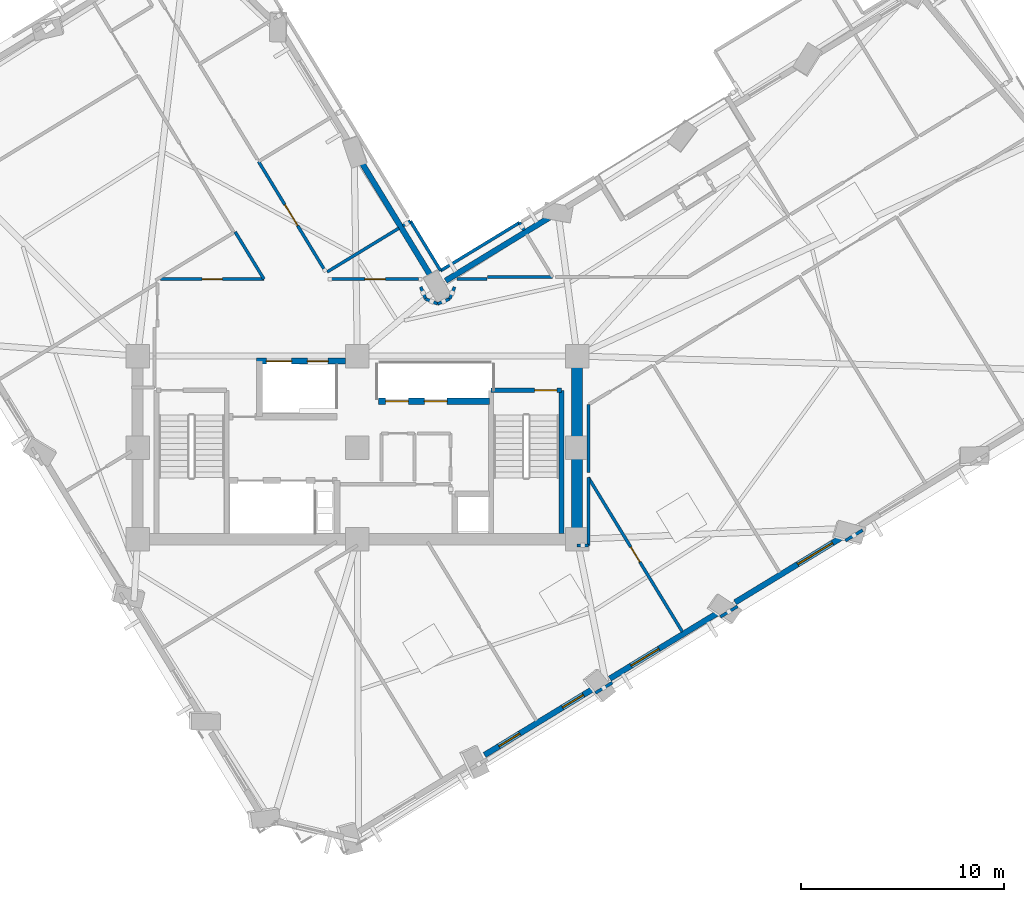
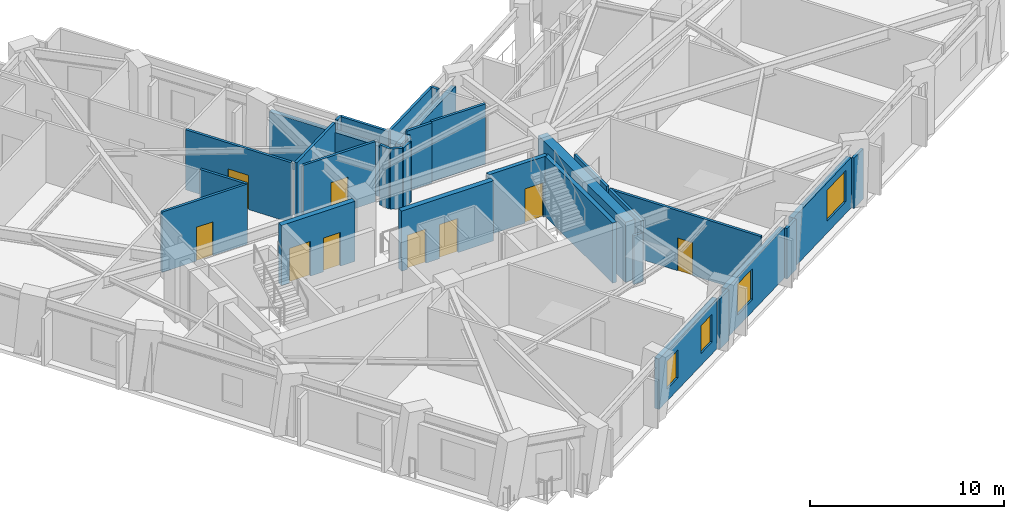
# One storey, part 6 of 14: 32 walls, 9 doors, 4 windows, 13 openings.
"""IFC4 building model written with IfcOpenShell, lengths in metres."""

from ifc_helpers import new_model, si_unit, direction, frame, frame_2d, origin, place, context, subcontext, project, spatial, rectangle, extrude, material, layer, layer_set, type_object, element, fill, save


model = new_model("IFC4")

# Units and contexts
model_context = context("Model", 3, precision=1e-05, world=origin(), true_north=direction((0.0, 1.0)))
body_context = subcontext(model_context, "Body", "Model", "MODEL_VIEW")
ifc_project = project(units=[si_unit("LENGTHUNIT", "METRE"), si_unit("AREAUNIT", "SQUARE_METRE"), si_unit("VOLUMEUNIT", "CUBIC_METRE"), si_unit("PLANEANGLEUNIT", "RADIAN"), si_unit("MASSUNIT", "GRAM", prefix="KILO")], contexts=[model_context])

# Site, building, storey
site_placement = place(None, origin())
site = spatial("IfcSite", under=ifc_project, at=site_placement, CompositionType="ELEMENT")
building_placement = place(site_placement, origin())
building = spatial("IfcBuilding", under=site, at=building_placement, Name="Gaonmaruhae Medical Tower", CompositionType="ELEMENT")
storey_placement = place(building_placement, frame((0.0, 0.0, 157.800048828125)))
storey = spatial("IfcBuildingStorey", under=building, at=storey_placement, Name="L37", CompositionType="ELEMENT", Elevation=157.800048828125)

# Wall
ifc_material_1 = material(Name="Concrete C50/60", Category="concrete")
ifc_layer_1 = layer(ifc_material_1, 0.550048828125)
ifc_layer_set_1 = layer_set([ifc_layer_1], Name="Concrete C50/60")
wall_type_1 = type_object("IfcWallType", Name="CW-550 Mid-High Core Shear Wall", PredefinedType="SHEAR", material=ifc_layer_set_1)
wall_1_placement = place(storey_placement, frame((35.60009765625, 7.800048828125, 0.0), z_axis=(0.0, 0.0, 1.0), x_axis=(0.0, 1.0, 0.0)))
element("IfcWall", 1, at=wall_1_placement, inside=storey, type_object=wall_type_1, Name="L37 Core Shear Wall CSW-E1", PredefinedType="SHEAR", context=body_context, shape_type="SweptSolid", body=[
    extrude(rectangle(XDim=9.0, YDim=0.550048828125, at=frame_2d((4.5, 0.0))), origin(), (0.0, 0.0, 1.0), 3.780029296875),
])

# Wall, openings, windows
ifc_material_2 = material(Name="Precast concrete C45/55", Category="concrete")
ifc_layer_2 = layer(ifc_material_2, 0.280029296875)
ifc_layer_set_2 = layer_set([ifc_layer_2], Name="Precast concrete C45/55")
wall_type_2 = type_object("IfcWallType", Name="EW-280 Upper Precast Masonry-Frame Facade Wall", PredefinedType="SOLIDWALL", material=ifc_layer_set_2)
wall_2_placement = place(storey_placement, frame((36.3759765625, 0.4375, 0.0), z_axis=(0.0, 0.0, 1.0), x_axis=(-0.853997345256, -0.520277362852, 0.0)))
wall_2 = element("IfcWall", 2, at=wall_2_placement, inside=storey, type_object=wall_type_2, Name="L37 Precast Masonry-Frame Wall S02-S03", PredefinedType="SOLIDWALL", context=body_context, shape_type="SweptSolid", body=[
    extrude(rectangle(XDim=6.234375, YDim=0.280029296875, at=frame_2d((3.1171875, 0.0))), origin(), (0.0, 0.0, 1.0), 3.1650390625),
])
opening_1_placement = place(wall_2_placement, frame((4.20751953125, 0.0, 0.75)))
opening_1 = element("IfcOpeningElement", 3, at=opening_1_placement, cuts=wall_2, Name="Opening WN-05", PredefinedType="OPENING", context=body_context, shape_type="SweptSolid", body=[
    extrude(rectangle(XDim=1.199951171875, YDim=1.75, at=frame_2d((0.60009765625, 0.875))), frame((0.0, 0.14990234375, 0.0), z_axis=(0.0, -1.0, 0.0), x_axis=(1.0, 0.0, 0.0)), (0.0, 0.0, 1.0), 0.300048828125),
])
opening_2_placement = place(wall_2_placement, frame((0.547119140625, 0.0, 0.75)))
opening_2 = element("IfcOpeningElement", 4, at=opening_2_placement, cuts=wall_2, Name="Opening WN-05", PredefinedType="OPENING", context=body_context, shape_type="SweptSolid", body=[
    extrude(rectangle(XDim=1.199951171875, YDim=1.75, at=frame_2d((0.60009765625, 0.875))), frame((0.0, 0.14990234375, 0.0), z_axis=(0.0, -1.0, 0.0), x_axis=(1.0, 0.0, 0.0)), (0.0, 0.0, 1.0), 0.300048828125),
])
ifc_material_3 = material(Name="Anodised aluminium and Low-E double glazing", Category="aluminium")
window_type_1 = type_object("IfcWindowType", Name="WN-05 Support & Staff Punched Window 1200x1750", PartitioningType="SINGLE_PANEL", PredefinedType="WINDOW", material=ifc_material_3)
window_1_placement = place(opening_1_placement, origin())
window_1 = element("IfcWindow", 5, at=window_1_placement, inside=storey, type_object=window_type_1, Name="L37 Modular Facade Window S02", OverallHeight=1.75, OverallWidth=1.199951171875, PartitioningType="SINGLE_PANEL", PredefinedType="WINDOW", context=body_context, shape_type="SweptSolid", body=[
    extrude(rectangle(XDim=1.199951171875, YDim=1.75, at=frame_2d((0.60009765625, 0.875))), frame((0.0, 0.030029296875, 0.0), z_axis=(0.0, -1.0, 0.0), x_axis=(1.0, 0.0, 0.0)), (0.0, 0.0, 1.0), 0.06005859375),
])
fill(opening_1, window_1)
window_2_placement = place(opening_2_placement, origin())
window_2 = element("IfcWindow", 6, at=window_2_placement, inside=storey, type_object=window_type_1, Name="L37 Modular Facade Window S02B", OverallHeight=1.75, OverallWidth=1.199951171875, PartitioningType="SINGLE_PANEL", PredefinedType="WINDOW", context=body_context, shape_type="SweptSolid", body=[
    extrude(rectangle(XDim=1.199951171875, YDim=1.75, at=frame_2d((0.60009765625, 0.875))), frame((0.0, 0.030029296875, 0.0), z_axis=(0.0, -1.0, 0.0), x_axis=(1.0, 0.0, 0.0)), (0.0, 0.0, 1.0), 0.06005859375),
])
fill(opening_2, window_2)

# Wall, opening, window
wall_3_placement = place(storey_placement, frame((42.51904296875, 4.1796875, 0.0), z_axis=(0.0, 0.0, 1.0), x_axis=(-0.854020982739, -0.520238561663, 0.0)))
wall_3 = element("IfcWall", 7, at=wall_3_placement, inside=storey, type_object=wall_type_2, Name="L37 Precast Masonry-Frame Wall S03-S04", PredefinedType="SOLIDWALL", context=body_context, shape_type="SweptSolid", body=[
    extrude(rectangle(XDim=6.21435546875, YDim=0.280029296875, at=frame_2d((3.107177734375, 0.0))), origin(), (0.0, 0.0, 1.0), 3.1650390625),
])
opening_3_placement = place(wall_3_placement, frame((3.3974609375, 0.0, 0.75)))
opening_3 = element("IfcOpeningElement", 8, at=opening_3_placement, cuts=wall_3, Name="Opening WN-01", PredefinedType="OPENING", context=body_context, shape_type="SweptSolid", body=[
    extrude(rectangle(XDim=1.60009765625, YDim=1.949951171875, at=frame_2d((0.800048828125, 0.97509765625))), frame((0.0, 0.14990234375, 0.0), z_axis=(0.0, -1.0, 0.0), x_axis=(1.0, 0.0, 0.0)), (0.0, 0.0, 1.0), 0.300048828125),
])
window_type_2 = type_object("IfcWindowType", Name="WN-01 Ward Punched Acoustic Window 1600x1950", PartitioningType="SINGLE_PANEL", PredefinedType="WINDOW", material=ifc_material_3)
window_3_placement = place(opening_3_placement, origin())
window_3 = element("IfcWindow", 9, at=window_3_placement, inside=storey, type_object=window_type_2, Name="L37 Modular Facade Window S03", OverallHeight=1.949951171875, OverallWidth=1.60009765625, PartitioningType="SINGLE_PANEL", PredefinedType="WINDOW", context=body_context, shape_type="SweptSolid", body=[
    extrude(rectangle(XDim=1.60009765625, YDim=1.949951171875, at=frame_2d((0.800048828125, 0.97509765625))), frame((0.0, 0.030029296875, 0.0), z_axis=(0.0, -1.0, 0.0), x_axis=(1.0, 0.0, 0.0)), (0.0, 0.0, 1.0), 0.06005859375),
])
fill(opening_3, window_3)

wall_4_placement = place(storey_placement, frame((48.668212890625, 7.92578125, 0.0), z_axis=(0.0, 0.0, 1.0), x_axis=(-0.85401095284, -0.520255026338, 0.0)))
wall_4 = element("IfcWall", 10, at=wall_4_placement, inside=storey, type_object=wall_type_2, Name="L37 Precast Masonry-Frame Wall S04-S05", PredefinedType="SOLIDWALL", context=body_context, shape_type="SweptSolid", body=[
    extrude(rectangle(XDim=6.208984375, YDim=0.280029296875, at=frame_2d((3.1044921875, 0.0))), origin(), (0.0, 0.0, 1.0), 3.1650390625),
])
opening_4_placement = place(wall_4_placement, frame((0.6025390625, 0.0, 0.75)))
opening_4 = element("IfcOpeningElement", 11, at=opening_4_placement, cuts=wall_4, Name="Opening WN-02", PredefinedType="OPENING", context=body_context, shape_type="SweptSolid", body=[
    extrude(rectangle(XDim=2.0, YDim=1.949951171875, at=frame_2d((1.0, 0.97509765625))), frame((0.0, 0.14990234375, 0.0), z_axis=(0.0, -1.0, 0.0), x_axis=(1.0, 0.0, 0.0)), (0.0, 0.0, 1.0), 0.300048828125),
])
window_type_3 = type_object("IfcWindowType", Name="WN-02 Double-Bed Ward Punched Window 2000x1950", PartitioningType="SINGLE_PANEL", PredefinedType="WINDOW", material=ifc_material_3)
window_4_placement = place(opening_4_placement, origin())
window_4 = element("IfcWindow", 12, at=window_4_placement, inside=storey, type_object=window_type_3, Name="L37 Modular Facade Window S04", OverallHeight=1.949951171875, OverallWidth=2.0, PartitioningType="SINGLE_PANEL", PredefinedType="WINDOW", context=body_context, shape_type="SweptSolid", body=[
    extrude(rectangle(XDim=2.0, YDim=1.949951171875, at=frame_2d((1.0, 0.97509765625))), frame((0.0, 0.030029296875, 0.0), z_axis=(0.0, -1.0, 0.0), x_axis=(1.0, 0.0, 0.0)), (0.0, 0.0, 1.0), 0.06005859375),
])
fill(opening_4, window_4)

# Walls
wall_5_placement = place(storey_placement, frame((29.139892578125, 20.501953125, 0.0), z_axis=(0.0, 0.0, 1.0), x_axis=(0.853999949141, 0.52027308874, 0.0)))
element("IfcWall", 13, at=wall_5_placement, inside=storey, type_object=wall_type_2, Name="L37 Precast Masonry-Frame Wall EN03-KN01", PredefinedType="SOLIDWALL", context=body_context, shape_type="SweptSolid", body=[
    extrude(rectangle(XDim=5.9599609375, YDim=0.280029296875, at=frame_2d((2.97998046875, 0.0))), origin(), (0.0, 0.0, 1.0), 3.1650390625),
])
wall_6_placement = place(storey_placement, frame((28.478759765625, 20.61669921875, 0.0), z_axis=(0.0, 0.0, 1.0), x_axis=(-0.520241368048, 0.854019273185, 0.0)))
element("IfcWall", 14, at=wall_6_placement, inside=storey, type_object=wall_type_2, Name="L37 Precast Masonry-Frame Wall KN01-NE01", PredefinedType="SOLIDWALL", context=body_context, shape_type="SweptSolid", body=[
    extrude(rectangle(XDim=6.760009765625, YDim=0.280029296875, at=frame_2d((3.3798828125, 0.0))), origin(), (0.0, 0.0, 1.0), 3.1650390625),
])

# Wall, opening, door
ifc_material_4 = material(Name="Gypsum board partition", Category="gypsum")
ifc_layer_3 = layer(ifc_material_4, 0.14990234375)
ifc_layer_set_3 = layer_set([ifc_layer_3], Name="Gypsum board partition")
wall_type_3 = type_object("IfcWallType", Name="PW-150 Rated Clinical Corridor Partition", PredefinedType="PARTITIONING", material=ifc_layer_set_3)
wall_7_placement = place(storey_placement, frame((36.14990234375, 10.840087890625, 0.0), z_axis=(0.0, 0.0, 1.0), x_axis=(0.52024150956, -0.854019186981, 0.0)))
wall_7 = element("IfcWall", 15, at=wall_7_placement, inside=storey, type_object=wall_type_3, Name="L37 Interior Partition L37-SUP03-12", PredefinedType="PARTITIONING", context=body_context, shape_type="SweptSolid", body=[
    extrude(rectangle(XDim=8.88623046875, YDim=0.14990234375, at=frame_2d((4.443115234375, 0.0))), origin(), (0.0, 0.0, 1.0), 3.780029296875),
])
opening_5_placement = place(wall_7_placement, frame((4.01318359375, 0.0, 0.0)))
opening_5 = element("IfcOpeningElement", 16, at=opening_5_placement, cuts=wall_7, Name="Opening AD-01", PredefinedType="OPENING", context=body_context, shape_type="SweptSolid", body=[
    extrude(rectangle(XDim=0.860107421875, YDim=2.06005859375, at=frame_2d((0.43017578125, 1.030029296875))), frame((0.0, 0.0849609375, 0.0), z_axis=(0.0, -1.0, 0.0), x_axis=(1.0, 0.0, 0.0)), (0.0, 0.0, 1.0), 0.169921875),
])
ifc_material_5 = material(Name="Powder-coated steel access door", Category="steel")
door_type_1 = type_object("IfcDoorType", Name="AD-01 Riser & Closet Access Fire Door 860x2060", OperationType="NOTDEFINED", PredefinedType="DOOR", material=ifc_material_5)
door_1_placement = place(opening_5_placement, origin())
door_1 = element("IfcDoor", 17, at=door_1_placement, inside=storey, type_object=door_type_1, Name="L37 Clinical Biomedical Charting Office Sliding Door", OperationType="SLIDING_TO_LEFT", OverallHeight=2.06005859375, OverallWidth=0.860107421875, PredefinedType="DOOR", context=body_context, shape_type="SweptSolid", body=[
    extrude(rectangle(XDim=0.860107421875, YDim=2.06005859375, at=frame_2d((0.43017578125, 1.030029296875))), frame((0.0, 0.02490234375, 0.0), z_axis=(0.0, -1.0, 0.0), x_axis=(1.0, 0.0, 0.0)), (0.0, 0.0, 1.0), 0.050048828125),
])
fill(opening_5, door_1)

# Walls
wall_8_placement = place(storey_placement, frame((37.33203125, 0.75, 0.0), z_axis=(0.0, 0.0, 1.0), x_axis=(-0.854107021085, -0.520097295257, 0.0)))
element("IfcWall", 18, at=wall_8_placement, inside=storey, type_object=wall_type_3, Name="L37 Interior Partition L37-SUP03-13", PredefinedType="PARTITIONING", context=body_context, shape_type="SweptSolid", body=[
    extrude(rectangle(XDim=0.978759765625, YDim=0.14990234375, at=frame_2d((0.4892578125, 0.0))), origin(), (0.0, 0.0, 1.0), 3.1650390625),
])
wall_9_placement = place(storey_placement, frame((35.60009765625, 7.5, 0.0), z_axis=(0.0, 0.0, 1.0), x_axis=(1.0, 0.0, 0.0)))
element("IfcWall", 19, at=wall_9_placement, inside=storey, type_object=wall_type_3, Name="L37 Interior Partition L37-SUP03-14", PredefinedType="PARTITIONING", context=body_context, shape_type="SweptSolid", body=[
    extrude(rectangle(XDim=0.5498046875, YDim=0.14990234375, at=frame_2d((0.27490234375, 0.0))), origin(), (0.0, 0.0, 1.0), 3.06494140625),
])
wall_10_placement = place(storey_placement, frame((36.14990234375, 7.5, 0.0), z_axis=(0.0, 0.0, 1.0), x_axis=(0.0, 1.0, 0.0)))
element("IfcWall", 20, at=wall_10_placement, inside=storey, type_object=wall_type_3, Name="L37 Interior Partition L37-SUP03-15", PredefinedType="PARTITIONING", context=body_context, shape_type="SweptSolid", body=[
    extrude(rectangle(XDim=3.340087890625, YDim=0.14990234375, at=frame_2d((1.669921875, 0.0))), origin(), (0.0, 0.0, 1.0), 3.780029296875),
])
wall_11_placement = place(storey_placement, frame((43.485107421875, 4.4990234375, 0.0), z_axis=(0.0, 0.0, 1.0), x_axis=(-0.853732080104, -0.520712526642, 0.0)))
element("IfcWall", 21, at=wall_11_placement, inside=storey, type_object=wall_type_3, Name="L37 Interior Partition L37-SUP04-17", PredefinedType="PARTITIONING", context=body_context, shape_type="SweptSolid", body=[
    extrude(rectangle(XDim=0.9912109375, YDim=0.14990234375, at=frame_2d((0.49560546875, 0.0))), origin(), (0.0, 0.0, 1.0), 3.1650390625),
])
wall_12_placement = place(storey_placement, frame((36.14990234375, 11.080078125, 0.0), z_axis=(0.0, 0.0, 1.0), x_axis=(0.0, 1.0, 0.0)))
element("IfcWall", 22, at=wall_12_placement, inside=storey, type_object=wall_type_3, Name="L37 Interior Partition L37-SUP04-18", PredefinedType="PARTITIONING", context=body_context, shape_type="SweptSolid", body=[
    extrude(rectangle(XDim=3.329833984375, YDim=0.14990234375, at=frame_2d((1.6650390625, 0.0))), origin(), (0.0, 0.0, 1.0), 3.780029296875),
])
wall_13_placement = place(storey_placement, frame((49.633056640625, 8.243896484375, 0.0), z_axis=(0.0, 0.0, 1.0), x_axis=(-0.853945935518, -0.520361738806, 0.0)))
element("IfcWall", 23, at=wall_13_placement, inside=storey, type_object=wall_type_3, Name="L37 Interior Partition L37-SUP05-22", PredefinedType="PARTITIONING", context=body_context, shape_type="SweptSolid", body=[
    extrude(rectangle(XDim=0.989501953125, YDim=0.14990234375, at=frame_2d((0.49462890625, 0.0))), origin(), (0.0, 0.0, 1.0), 3.1650390625),
])
wall_14_placement = place(storey_placement, frame((32.76904296875, 23.35693359375, 0.0), z_axis=(0.0, 0.0, 1.0), x_axis=(0.519519720365, -0.854458460168, 0.0)))
element("IfcWall", 24, at=wall_14_placement, inside=storey, type_object=wall_type_3, Name="L37 Interior Partition L37-IE01-56", PredefinedType="PARTITIONING", context=body_context, shape_type="SweptSolid", body=[
    extrude(rectangle(XDim=0.43505859375, YDim=0.14990234375, at=frame_2d((0.217529296875, 0.0))), origin(), (0.0, 0.0, 1.0), 3.780029296875),
])
wall_15_placement = place(storey_placement, frame((34.39990234375, 20.679931640625, 0.0), z_axis=(0.0, 0.0, 1.0), x_axis=(-1.0, 0.0, 0.0)))
element("IfcWall", 25, at=wall_15_placement, inside=storey, type_object=wall_type_3, Name="L37 Interior Partition L37-IE01-58", PredefinedType="PARTITIONING", context=body_context, shape_type="SweptSolid", body=[
    extrude(rectangle(XDim=3.199951171875, YDim=0.14990234375, at=frame_2d((1.60009765625, 0.0))), origin(), (0.0, 0.0, 1.0), 3.780029296875),
])
wall_16_placement = place(storey_placement, frame((31.169921875, 20.580078125, 0.0), z_axis=(0.0, 0.0, 1.0), x_axis=(-0.999999782874, -0.00065897844, 0.0)))
element("IfcWall", 26, at=wall_16_placement, inside=storey, type_object=wall_type_3, Name="L37 Interior Partition L37-IE01-59", PredefinedType="PARTITIONING", context=body_context, shape_type="SweptSolid", body=[
    extrude(rectangle(XDim=1.48193359375, YDim=0.14990234375, at=frame_2d((0.740966796875, 0.0))), origin(), (0.0, 0.0, 1.0), 3.780029296875),
])
for number, where, z_axis, x_axis, name in (
    (27, (29.5810546875, 20.198974609375, 0.0), (0.0, 0.0, 1.0), (-0.384289223453, -0.923212755944, 0.0), "L37 Interior Partition L37-IE01-60"),
    (28, (29.3359375, 19.610107421875, 0.0), (0.0, 0.0, 1.0), (-0.923212755944, -0.384289223453, 0.0), "L37 Interior Partition L37-IE01-61"),
):
    element("IfcWall", number, at=place(storey_placement, frame(where, z_axis=z_axis, x_axis=x_axis)), inside=storey, type_object=wall_type_3, Name=name, PredefinedType="PARTITIONING", context=body_context, shape_type="SweptSolid", body=[
        extrude(rectangle(XDim=0.637939453125, YDim=0.14990234375, at=frame_2d((0.31884765625, 0.0))), origin(), (0.0, 0.0, 1.0), 3.780029296875),
    ])
wall_17_placement = place(storey_placement, frame((28.7470703125, 19.364990234375, 0.0), z_axis=(0.0, 0.0, 1.0), x_axis=(-0.923494633817, 0.383611341478, 0.0)))
element("IfcWall", 29, at=wall_17_placement, inside=storey, type_object=wall_type_3, Name="L37 Interior Partition L37-IE01-62", PredefinedType="PARTITIONING", context=body_context, shape_type="SweptSolid", body=[
    extrude(rectangle(XDim=0.638916015625, YDim=0.14990234375, at=frame_2d((0.3193359375, 0.0))), origin(), (0.0, 0.0, 1.0), 3.780029296875),
])
wall_18_placement = place(storey_placement, frame((28.156982421875, 19.610107421875, 0.0), z_axis=(0.0, 0.0, 1.0), x_axis=(-0.382656259044, 0.923890787601, 0.0)))
element("IfcWall", 30, at=wall_18_placement, inside=storey, type_object=wall_type_3, Name="L37 Interior Partition L37-IE01-63", PredefinedType="PARTITIONING", context=body_context, shape_type="SweptSolid", body=[
    extrude(rectangle(XDim=0.637451171875, YDim=0.14990234375, at=frame_2d((0.31884765625, 0.0))), origin(), (0.0, 0.0, 1.0), 3.780029296875),
])

# Wall, opening, door
wall_19_placement = place(storey_placement, frame((27.80908203125, 20.5791015625, 0.0), z_axis=(0.0, 0.0, 1.0), x_axis=(-0.999999973887, 0.000228532246, 0.0)))
wall_19 = element("IfcWall", 31, at=wall_19_placement, inside=storey, type_object=wall_type_3, Name="L37 Interior Partition L37-IE01-64", PredefinedType="PARTITIONING", context=body_context, shape_type="SweptSolid", body=[
    extrude(rectangle(XDim=4.273193359375, YDim=0.14990234375, at=frame_2d((2.13671875, 0.0))), origin(), (0.0, 0.0, 1.0), 3.780029296875),
])
opening_6_placement = place(wall_19_placement, frame((1.636474609375, 0.0, 0.0)))
opening_6 = element("IfcOpeningElement", 32, at=opening_6_placement, cuts=wall_19, Name="Opening CD-01", PredefinedType="OPENING", context=body_context, shape_type="SweptSolid", body=[
    extrude(rectangle(XDim=1.0, YDim=2.1201171875, at=frame_2d((0.5, 1.06005859375))), frame((0.0, 0.0849609375, 0.0), z_axis=(0.0, -1.0, 0.0), x_axis=(1.0, 0.0, 0.0)), (0.0, 0.0, 1.0), 0.169921875),
])
ifc_material_6 = material(Name="Antimicrobial laminate timber fire door", Category="wood")
door_type_2 = type_object("IfcDoorType", Name="CD-01 Consultation & Physician Office Door 1000x2120", OperationType="NOTDEFINED", PredefinedType="DOOR", material=ifc_material_6)
door_2_placement = place(opening_6_placement, origin())
door_2 = element("IfcDoor", 33, at=door_2_placement, inside=storey, type_object=door_type_2, Name="L37 Central Clinical Nurse Station Door", OperationType="SINGLE_SWING_RIGHT", OverallHeight=2.1201171875, OverallWidth=1.0, PredefinedType="DOOR", context=body_context, shape_type="SweptSolid", body=[
    extrude(rectangle(XDim=1.0, YDim=2.1201171875, at=frame_2d((0.5, 1.06005859375))), frame((0.0, 0.02490234375, 0.0), z_axis=(0.0, -1.0, 0.0), x_axis=(1.0, 0.0, 0.0)), (0.0, 0.0, 1.0), 0.050048828125),
])
fill(opening_6, door_2)

# Walls
wall_20_placement = place(storey_placement, frame((23.319091796875, 20.93701171875, 0.0), z_axis=(0.0, 0.0, 1.0), x_axis=(0.853962989995, 0.520333750316, 0.0)))
element("IfcWall", 34, at=wall_20_placement, inside=storey, type_object=wall_type_3, Name="L37 Interior Partition L37-IE01-65", PredefinedType="PARTITIONING", context=body_context, shape_type="SweptSolid", body=[
    extrude(rectangle(XDim=4.124267578125, YDim=0.14990234375, at=frame_2d((2.06201171875, 0.0))), origin(), (0.0, 0.0, 1.0), 3.780029296875),
])
wall_21_placement = place(storey_placement, frame((27.0380859375, 23.202880859375, 0.0), z_axis=(0.0, 0.0, 1.0), x_axis=(0.853851017382, 0.520517473401, 0.0)))
element("IfcWall", 35, at=wall_21_placement, inside=storey, type_object=wall_type_3, Name="L37 Interior Partition L37-IE01-66", PredefinedType="PARTITIONING", context=body_context, shape_type="SweptSolid", body=[
    extrude(rectangle(XDim=0.434326171875, YDim=0.14990234375, at=frame_2d((0.21728515625, 0.0))), origin(), (0.0, 0.0, 1.0), 3.780029296875),
])
wall_22_placement = place(storey_placement, frame((27.408935546875, 23.428955078125, 0.0), z_axis=(0.0, 0.0, 1.0), x_axis=(0.520378956631, -0.8539354434, 0.0)))
element("IfcWall", 36, at=wall_22_placement, inside=storey, type_object=wall_type_3, Name="L37 Interior Partition L37-IE01-67", PredefinedType="PARTITIONING", context=body_context, shape_type="SweptSolid", body=[
    extrude(rectangle(XDim=2.85009765625, YDim=0.14990234375, at=frame_2d((1.425048828125, 0.0))), origin(), (0.0, 0.0, 1.0), 3.780029296875),
])
wall_23_placement = place(storey_placement, frame((28.89208984375, 20.9951171875, 0.0), z_axis=(0.0, 0.0, 1.0), x_axis=(0.854009494037, 0.52025742099, 0.0)))
element("IfcWall", 37, at=wall_23_placement, inside=storey, type_object=wall_type_3, Name="L37 Interior Partition L37-IE01-68", PredefinedType="PARTITIONING", context=body_context, shape_type="SweptSolid", body=[
    extrude(rectangle(XDim=4.539794921875, YDim=0.14990234375, at=frame_2d((2.27001953125, 0.0))), origin(), (0.0, 0.0, 1.0), 3.780029296875),
])

# Wall, opening, door
wall_24_placement = place(storey_placement, frame((23.157958984375, 21.0849609375, 0.0), z_axis=(0.0, 0.0, 1.0), x_axis=(-0.520195067616, 0.854047476214, 0.0)))
wall_24 = element("IfcWall", 38, at=wall_24_placement, inside=storey, type_object=wall_type_3, Name="L37 Interior Partition L37-IN01-90", PredefinedType="PARTITIONING", context=body_context, shape_type="SweptSolid", body=[
    extrude(rectangle(XDim=6.18017578125, YDim=0.14990234375, at=frame_2d((3.090087890625, 0.0))), origin(), (0.0, 0.0, 1.0), 3.780029296875),
])
opening_7_placement = place(wall_24_placement, frame((2.489990234375, 0.0, 0.0)))
opening_7 = element("IfcOpeningElement", 39, at=opening_7_placement, cuts=wall_24, Name="Opening CD-02", PredefinedType="OPENING", context=body_context, shape_type="SweptSolid", body=[
    extrude(rectangle(XDim=1.199951171875, YDim=2.14990234375, at=frame_2d((0.60009765625, 1.074951171875))), frame((0.0, 0.0849609375, 0.0), z_axis=(0.0, -1.0, 0.0), x_axis=(1.0, 0.0, 0.0)), (0.0, 0.0, 1.0), 0.169921875),
])
door_type_3 = type_object("IfcDoorType", Name="CD-02 Clinical Treatment & Procedure Door 1200x2150", OperationType="NOTDEFINED", PredefinedType="DOOR", material=ifc_material_6)
door_3_placement = place(opening_7_placement, origin())
door_3 = element("IfcDoor", 40, at=door_3_placement, inside=storey, type_object=door_type_3, Name="L37 Physician Consultation Office Door", OperationType="SINGLE_SWING_LEFT", OverallHeight=2.14990234375, OverallWidth=1.199951171875, PredefinedType="DOOR", context=body_context, shape_type="SweptSolid", body=[
    extrude(rectangle(XDim=1.199951171875, YDim=2.14990234375, at=frame_2d((0.60009765625, 1.074951171875))), frame((0.0, 0.02490234375, 0.0), z_axis=(0.0, -1.0, 0.0), x_axis=(1.0, 0.0, 0.0)), (0.0, 0.0, 1.0), 0.050048828125),
])
fill(opening_7, door_3)

# Wall
wall_25_placement = place(storey_placement, frame((18.7939453125, 22.906005859375, 0.0), z_axis=(0.0, 0.0, 1.0), x_axis=(0.520271097481, -0.854001162251, 0.0)))
element("IfcWall", 41, at=wall_25_placement, inside=storey, type_object=wall_type_3, Name="L37 Interior Partition L37-RM01-106", PredefinedType="PARTITIONING", context=body_context, shape_type="SweptSolid", body=[
    extrude(rectangle(XDim=2.7236328125, YDim=0.14990234375, at=frame_2d((1.36181640625, 0.0))), origin(), (0.0, 0.0, 1.0), 3.780029296875),
])

# Wall, opening, door
wall_26_placement = place(storey_placement, frame((20.2109375, 20.580078125, 0.0), z_axis=(0.0, 0.0, 1.0), x_axis=(-1.0, 0.0, 0.0)))
wall_26 = element("IfcWall", 42, at=wall_26_placement, inside=storey, type_object=wall_type_3, Name="L37 Interior Partition L37-RM01-107", PredefinedType="PARTITIONING", context=body_context, shape_type="SweptSolid", body=[
    extrude(rectangle(XDim=5.08203125, YDim=0.14990234375, at=frame_2d((2.541015625, 0.0))), origin(), (0.0, 0.0, 1.0), 3.780029296875),
])
opening_8_placement = place(wall_26_placement, frame((2.041015625, 0.0, 0.0)))
opening_8 = element("IfcOpeningElement", 43, at=opening_8_placement, cuts=wall_26, Name="Opening CD-01", PredefinedType="OPENING", context=body_context, shape_type="SweptSolid", body=[
    extrude(rectangle(XDim=1.0, YDim=2.1201171875, at=frame_2d((0.5, 1.06005859375))), frame((0.0, 0.0849609375, 0.0), z_axis=(0.0, -1.0, 0.0), x_axis=(1.0, 0.0, 0.0)), (0.0, 0.0, 1.0), 0.169921875),
])
door_4_placement = place(opening_8_placement, origin())
door_4 = element("IfcDoor", 44, at=door_4_placement, inside=storey, type_object=door_type_2, Name="L37 Clinical Case Review Office Door", OperationType="SINGLE_SWING_LEFT", OverallHeight=2.1201171875, OverallWidth=1.0, PredefinedType="DOOR", context=body_context, shape_type="SweptSolid", body=[
    extrude(rectangle(XDim=1.0, YDim=2.1201171875, at=frame_2d((0.5, 1.06005859375))), frame((0.0, 0.02490234375, 0.0), z_axis=(0.0, -1.0, 0.0), x_axis=(1.0, 0.0, 0.0)), (0.0, 0.0, 1.0), 0.050048828125),
])
fill(opening_8, door_4)

ifc_layer_4 = layer(ifc_material_1, 0.239990234375)
ifc_layer_set_4 = layer_set([ifc_layer_4], Name="Concrete C50/60")
wall_type_4 = type_object("IfcWallType", Name="SW-240 Dogleg Stair Tight Shaft Wall", PredefinedType="SOLIDWALL", material=ifc_layer_set_4)
wall_27_placement = place(storey_placement, frame((31.3701171875, 15.1201171875, 0.0), z_axis=(0.0, 0.0, 1.0), x_axis=(1.0, 0.0, 0.0)))
wall_27 = element("IfcWall", 45, at=wall_27_placement, inside=storey, type_object=wall_type_4, Name="L37 ST-02 Stair Shaft Wall SHW-ST-02-N", PredefinedType="SOLIDWALL", context=body_context, shape_type="SweptSolid", body=[
    extrude(rectangle(XDim=3.4599609375, YDim=0.239990234375, at=frame_2d((1.72998046875, 0.0))), origin(), (0.0, 0.0, 1.0), 3.780029296875),
])
opening_9_placement = place(wall_27_placement, frame((2.139892578125, 0.0, 0.0)))
opening_9 = element("IfcOpeningElement", 46, at=opening_9_placement, cuts=wall_27, Name="Opening FD-01", PredefinedType="OPENING", context=body_context, shape_type="SweptSolid", body=[
    extrude(rectangle(XDim=1.10009765625, YDim=2.14990234375, at=frame_2d((0.550048828125, 1.074951171875))), frame((0.0, 0.1298828125, 0.0), z_axis=(0.0, -1.0, 0.0), x_axis=(1.0, 0.0, 0.0)), (0.0, 0.0, 1.0), 0.260009765625),
])
ifc_material_7 = material(Name="Powder-coated steel fire door", Category="steel")
door_type_4 = type_object("IfcDoorType", Name="FD-01 Escape Stair Protected Fire Door 1100x2150", OperationType="NOTDEFINED", PredefinedType="DOOR", material=ifc_material_7)
door_5_placement = place(opening_9_placement, origin())
door_5 = element("IfcDoor", 47, at=door_5_placement, inside=storey, type_object=door_type_4, Name="L37 ST-02 Protected Escape Stair Door", OperationType="SINGLE_SWING_LEFT", OverallHeight=2.14990234375, OverallWidth=1.10009765625, PredefinedType="DOOR", context=body_context, shape_type="SweptSolid", body=[
    extrude(rectangle(XDim=1.10009765625, YDim=2.14990234375, at=frame_2d((0.550048828125, 1.074951171875))), frame((0.0, 0.02490234375, 0.0), z_axis=(0.0, -1.0, 0.0), x_axis=(1.0, 0.0, 0.0)), (0.0, 0.0, 1.0), 0.050048828125),
])
fill(opening_9, door_5)

# Wall
wall_28_placement = place(storey_placement, frame((34.830078125, 15.1201171875, 0.0), z_axis=(0.0, 0.0, 1.0), x_axis=(0.0, -1.0, 0.0)))
element("IfcWall", 48, at=wall_28_placement, inside=storey, type_object=wall_type_4, Name="L37 ST-02 Stair Shaft Wall SHW-ST-02-E", PredefinedType="SOLIDWALL", context=body_context, shape_type="SweptSolid", body=[
    extrude(rectangle(XDim=7.045166015625, YDim=0.239990234375, at=frame_2d((3.5224609375, 0.0))), origin(), (0.0, 0.0, 1.0), 3.780029296875),
])

# Wall, openings, doors
ifc_layer_5 = layer(ifc_material_1, 0.300048828125)
ifc_layer_set_5 = layer_set([ifc_layer_5], Name="Concrete C50/60")
wall_type_5 = type_object("IfcWallType", Name="SW-300 Stair & Lift Hoistway Shaft Wall", PredefinedType="SOLIDWALL", material=ifc_layer_set_5)
wall_29_placement = place(storey_placement, frame((19.85009765625, 16.550048828125, 0.0), z_axis=(0.0, 0.0, 1.0), x_axis=(1.0, 0.0, 0.0)))
wall_29 = element("IfcWall", 49, at=wall_29_placement, inside=storey, type_object=wall_type_5, Name="L37 Core Shear Wall CSW-NB", PredefinedType="SOLIDWALL", context=body_context, shape_type="SweptSolid", body=[
    extrude(rectangle(XDim=4.375, YDim=0.300048828125, at=frame_2d((2.1875, 0.0))), origin(), (0.0, 0.0, 1.0), 3.780029296875),
])
opening_10_placement = place(wall_29_placement, frame((0.47509765625, 0.0, 0.0)))
opening_10 = element("IfcOpeningElement", 50, at=opening_10_placement, cuts=wall_29, Name="Opening LD-F1", PredefinedType="OPENING", context=body_context, shape_type="SweptSolid", body=[
    extrude(rectangle(XDim=1.25, YDim=2.179931640625, at=frame_2d((0.625, 1.08984375))), frame((0.0, 0.16015625, 0.0), z_axis=(0.0, -1.0, 0.0), x_axis=(1.0, 0.0, 0.0)), (0.0, 0.0, 1.0), 0.320068359375),
])
opening_11_placement = place(wall_29_placement, frame((2.489990234375, 0.0, 0.0)))
opening_11 = element("IfcOpeningElement", 51, at=opening_11_placement, cuts=wall_29, Name="Opening LD-S1", PredefinedType="OPENING", context=body_context, shape_type="SweptSolid", body=[
    extrude(rectangle(XDim=1.02001953125, YDim=2.1201171875, at=frame_2d((0.510009765625, 1.06005859375))), frame((0.0, 0.16015625, 0.0), z_axis=(0.0, -1.0, 0.0), x_axis=(1.0, 0.0, 0.0)), (0.0, 0.0, 1.0), 0.320068359375),
])
ifc_material_8 = material(Name="Brushed stainless steel 316L landing door", Category="steel")
door_type_5 = type_object("IfcDoorType", Name="LD-F1 Firefighting & Bed Lift Sliding Landing Door 1250x2180", OperationType="NOTDEFINED", PredefinedType="DOOR", material=ifc_material_8)
door_6_placement = place(opening_10_placement, origin())
door_6 = element("IfcDoor", 52, at=door_6_placement, inside=storey, type_object=door_type_5, Name="L37 Service/Bed Lift Landing Door BDL-01", OperationType="DOUBLE_DOOR_SLIDING", OverallHeight=2.179931640625, OverallWidth=1.25, PredefinedType="DOOR", context=body_context, shape_type="SweptSolid", body=[
    extrude(rectangle(XDim=1.25, YDim=2.179931640625, at=frame_2d((0.625, 1.08984375))), frame((0.0, 0.02490234375, 0.0), z_axis=(0.0, -1.0, 0.0), x_axis=(1.0, 0.0, 0.0)), (0.0, 0.0, 1.0), 0.050048828125),
])
fill(opening_10, door_6)
ifc_material_9 = material(Name="Brushed stainless steel 304 landing door", Category="steel")
door_type_6 = type_object("IfcDoorType", Name="LD-S1 Service Lift Sliding Landing Door 1020x2120", OperationType="NOTDEFINED", PredefinedType="DOOR", material=ifc_material_9)
door_7_placement = place(opening_11_placement, origin())
door_7 = element("IfcDoor", 53, at=door_7_placement, inside=storey, type_object=door_type_6, Name="L37 Service/Bed Lift Landing Door SVL-01", OperationType="SLIDING_TO_LEFT", OverallHeight=2.1201171875, OverallWidth=1.02001953125, PredefinedType="DOOR", context=body_context, shape_type="SweptSolid", body=[
    extrude(rectangle(XDim=1.02001953125, YDim=2.1201171875, at=frame_2d((0.510009765625, 1.06005859375))), frame((0.0, 0.02490234375, 0.0), z_axis=(0.0, -1.0, 0.0), x_axis=(1.0, 0.0, 0.0)), (0.0, 0.0, 1.0), 0.050048828125),
])
fill(opening_11, door_7)

wall_30_placement = place(storey_placement, frame((25.85009765625, 14.580078125, 0.0), z_axis=(0.0, 0.0, 1.0), x_axis=(1.0, 0.0, 0.0)))
wall_30 = element("IfcWall", 54, at=wall_30_placement, inside=storey, type_object=wall_type_5, Name="L37 Shaft Enclosure Wall SHW-PLN", PredefinedType="SOLIDWALL", context=body_context, shape_type="SweptSolid", body=[
    extrude(rectangle(XDim=5.449951171875, YDim=0.300048828125, at=frame_2d((2.72509765625, 0.0))), origin(), (0.0, 0.0, 1.0), 3.780029296875),
])
opening_12_placement = place(wall_30_placement, frame((0.340087890625, 0.0, 0.0)))
opening_12 = element("IfcOpeningElement", 55, at=opening_12_placement, cuts=wall_30, Name="Opening LD-P1", PredefinedType="OPENING", context=body_context, shape_type="SweptSolid", body=[
    extrude(rectangle(XDim=1.1201171875, YDim=2.14990234375, at=frame_2d((0.56005859375, 1.074951171875))), frame((0.0, 0.16015625, 0.0), z_axis=(0.0, -1.0, 0.0), x_axis=(1.0, 0.0, 0.0)), (0.0, 0.0, 1.0), 0.320068359375),
])
opening_13_placement = place(wall_30_placement, frame((2.239990234375, 0.0, 0.0)))
opening_13 = element("IfcOpeningElement", 56, at=opening_13_placement, cuts=wall_30, Name="Opening LD-P1", PredefinedType="OPENING", context=body_context, shape_type="SweptSolid", body=[
    extrude(rectangle(XDim=1.1201171875, YDim=2.14990234375, at=frame_2d((0.56005859375, 1.074951171875))), frame((0.0, 0.16015625, 0.0), z_axis=(0.0, -1.0, 0.0), x_axis=(1.0, 0.0, 0.0)), (0.0, 0.0, 1.0), 0.320068359375),
])
door_type_7 = type_object("IfcDoorType", Name="LD-P1 Passenger Lift Sliding Landing Door 1120x2150", OperationType="NOTDEFINED", PredefinedType="DOOR", material=ifc_material_9)
door_8_placement = place(opening_12_placement, origin())
door_8 = element("IfcDoor", 57, at=door_8_placement, inside=storey, type_object=door_type_7, Name="L37 Passenger Lift Landing Door PL-M1", OperationType="DOUBLE_DOOR_SLIDING", OverallHeight=2.14990234375, OverallWidth=1.1201171875, PredefinedType="DOOR", context=body_context, shape_type="SweptSolid", body=[
    extrude(rectangle(XDim=1.1201171875, YDim=2.14990234375, at=frame_2d((0.56005859375, 1.074951171875))), frame((0.0, 0.02490234375, 0.0), z_axis=(0.0, -1.0, 0.0), x_axis=(1.0, 0.0, 0.0)), (0.0, 0.0, 1.0), 0.050048828125),
])
fill(opening_12, door_8)
door_9_placement = place(opening_13_placement, origin())
door_9 = element("IfcDoor", 58, at=door_9_placement, inside=storey, type_object=door_type_7, Name="L37 Passenger Lift Landing Door PL-M2", OperationType="DOUBLE_DOOR_SLIDING", OverallHeight=2.14990234375, OverallWidth=1.1201171875, PredefinedType="DOOR", context=body_context, shape_type="SweptSolid", body=[
    extrude(rectangle(XDim=1.1201171875, YDim=2.14990234375, at=frame_2d((0.56005859375, 1.074951171875))), frame((0.0, 0.02490234375, 0.0), z_axis=(0.0, -1.0, 0.0), x_axis=(1.0, 0.0, 0.0)), (0.0, 0.0, 1.0), 0.050048828125),
])
fill(opening_13, door_9)

save(model, "model.ifc")
